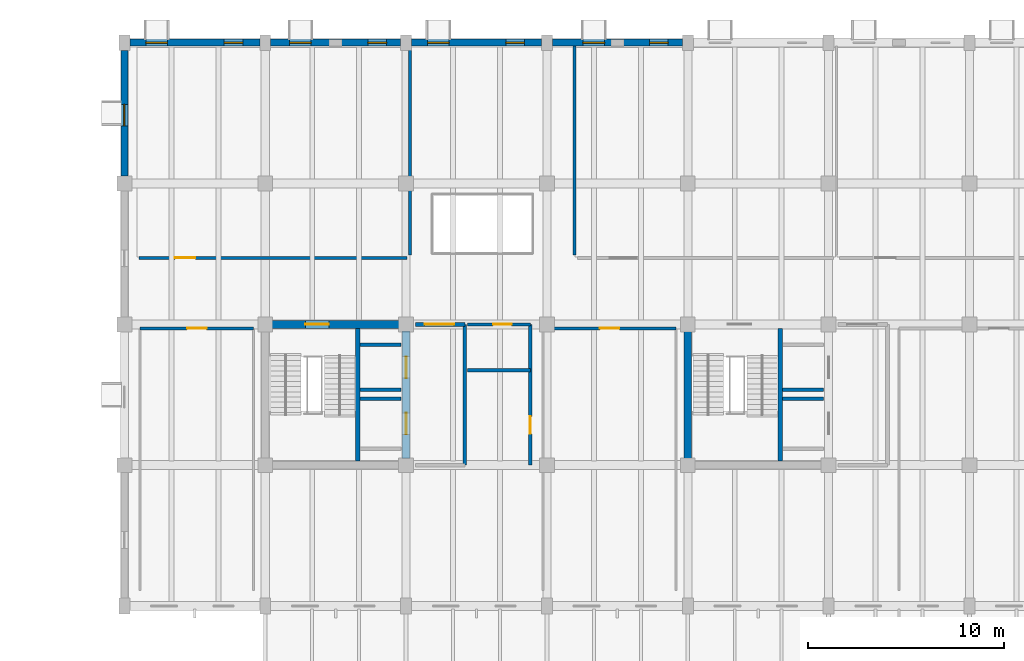
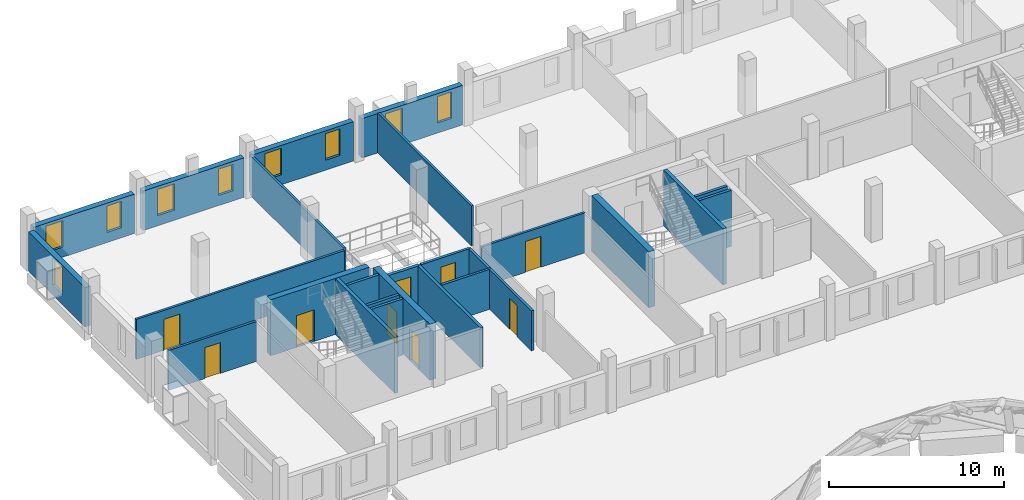
# One storey, part 27 of 32: 25 walls, 9 doors, 9 windows, 18 openings.
"""IFC4 building model written with IfcOpenShell, lengths in metres."""

from ifc_helpers import new_model, si_unit, direction, frame, frame_2d, origin, place, context, subcontext, project, spatial, rectangle, extrude, material, layer, layer_set, type_object, element, fill, save


model = new_model("IFC4")

# Units and contexts
model_context = context("Model", 3, precision=1e-05, world=origin(), true_north=direction((0.0, 1.0)))
body_context = subcontext(model_context, "Body", "Model", "MODEL_VIEW")
ifc_project = project(units=[si_unit("LENGTHUNIT", "METRE"), si_unit("AREAUNIT", "SQUARE_METRE"), si_unit("VOLUMEUNIT", "CUBIC_METRE"), si_unit("PLANEANGLEUNIT", "RADIAN"), si_unit("MASSUNIT", "GRAM", prefix="KILO")], contexts=[model_context])

# Site, building, storey
site_placement = place(None, origin())
site = spatial("IfcSite", under=ifc_project, at=site_placement, CompositionType="ELEMENT")
building_placement = place(site_placement, origin())
building = spatial("IfcBuilding", under=site, at=building_placement, Name="Qiaolan Assembly House", CompositionType="ELEMENT")
storey_placement = place(building_placement, frame((0.0, 0.0, 18.60009765625)))
storey = spatial("IfcBuildingStorey", under=building, at=storey_placement, Name="L04", CompositionType="ELEMENT", Elevation=18.60009765625)

# Wall, openings, doors
ifc_material_1 = material(Name="Concrete C45/55", Category="concrete")
ifc_layer_1 = layer(ifc_material_1, 0.39990234375)
ifc_layer_set_1 = layer_set([ifc_layer_1], Name="Concrete C45/55")
wall_type_1 = type_object("IfcWallType", Name="WAL-CORE-400", PredefinedType="SHEAR", material=ifc_layer_set_1)
wall_1_placement = place(storey_placement, frame((50.39990234375, 93.949951171875, 0.0), z_axis=(0.0, 0.0, 1.0), x_axis=(0.0, 1.0, 0.0)))
wall_1 = element("IfcWall", 1, at=wall_1_placement, inside=storey, type_object=wall_type_1, Name="CW-400 shear core wall CORE-A E L04", PredefinedType="SHEAR", context=body_context, shape_type="SweptSolid", body=[
    extrude(rectangle(XDim=6.5, YDim=0.39990234375, at=frame_2d((3.25, 0.0))), origin(), (0.0, 0.0, 1.0), 3.89990234375),
])
opening_1_placement = place(wall_1_placement, frame((1.22509765625, 0.0, 0.0)))
opening_1 = element("IfcOpeningElement", 2, at=opening_1_placement, cuts=wall_1, Name="Opening LD-006", PredefinedType="OPENING", context=body_context, shape_type="SweptSolid", body=[
    extrude(rectangle(XDim=1.10009765625, YDim=2.199951171875, at=frame_2d((0.550048828125, 1.10009765625))), frame((0.0, 0.2099609375, 0.0), z_axis=(0.0, -1.0, 0.0), x_axis=(1.0, 0.0, 0.0)), (0.0, 0.0, 1.0), 0.419921875),
])
opening_2_placement = place(wall_1_placement, frame((4.10009765625, 0.0, 0.0)))
opening_2 = element("IfcOpeningElement", 3, at=opening_2_placement, cuts=wall_1, Name="Opening LD-015", PredefinedType="OPENING", context=body_context, shape_type="SweptSolid", body=[
    extrude(rectangle(XDim=1.10009765625, YDim=2.199951171875, at=frame_2d((0.550048828125, 1.10009765625))), frame((0.0, 0.2099609375, 0.0), z_axis=(0.0, -1.0, 0.0), x_axis=(1.0, 0.0, 0.0)), (0.0, 0.0, 1.0), 0.419921875),
])
ifc_material_2 = material(Name="Anodised bronze aluminium", Category="aluminium")
door_type_1 = type_object("IfcDoorType", Name="DOR-LIFT-LD1100", OperationType="SLIDING_TO_LEFT", PredefinedType="DOOR", material=ifc_material_2)
door_1_placement = place(opening_1_placement, origin())
door_1 = element("IfcDoor", 4, at=door_1_placement, inside=storey, type_object=door_type_1, Name="Lift landing door LD-006 (LF-01 L04)", OperationType="SLIDING_TO_LEFT", OverallHeight=2.199951171875, OverallWidth=1.10009765625, PredefinedType="DOOR", context=body_context, shape_type="SweptSolid", body=[
    extrude(rectangle(XDim=1.10009765625, YDim=2.199951171875, at=frame_2d((0.550048828125, 1.10009765625))), frame((0.0, 0.02490234375, 0.0), z_axis=(0.0, -1.0, 0.0), x_axis=(1.0, 0.0, 0.0)), (0.0, 0.0, 1.0), 0.050048828125),
])
fill(opening_1, door_1)
door_2_placement = place(opening_2_placement, origin())
door_2 = element("IfcDoor", 5, at=door_2_placement, inside=storey, type_object=door_type_1, Name="Lift landing door LD-015 (LF-02 L04)", OperationType="SLIDING_TO_LEFT", OverallHeight=2.199951171875, OverallWidth=1.10009765625, PredefinedType="DOOR", context=body_context, shape_type="SweptSolid", body=[
    extrude(rectangle(XDim=1.10009765625, YDim=2.199951171875, at=frame_2d((0.550048828125, 1.10009765625))), frame((0.0, 0.02490234375, 0.0), z_axis=(0.0, -1.0, 0.0), x_axis=(1.0, 0.0, 0.0)), (0.0, 0.0, 1.0), 0.050048828125),
])
fill(opening_2, door_2)

# Wall, opening, door
wall_2_placement = place(storey_placement, frame((50.050048828125, 100.800048828125, 0.0), z_axis=(0.0, 0.0, 1.0), x_axis=(-1.0, 0.0, 0.0)))
wall_2 = element("IfcWall", 6, at=wall_2_placement, inside=storey, type_object=wall_type_1, Name="CW-400 shear core wall CORE-A N L04", PredefinedType="SHEAR", context=body_context, shape_type="SweptSolid", body=[
    extrude(rectangle(XDim=6.5, YDim=0.39990234375, at=frame_2d((3.25, 0.0))), origin(), (0.0, 0.0, 1.0), 3.89990234375),
])
opening_3_placement = place(wall_2_placement, frame((3.60009765625, 0.0, 0.0)))
opening_3 = element("IfcOpeningElement", 7, at=opening_3_placement, cuts=wall_2, Name="Opening FD-019", PredefinedType="OPENING", context=body_context, shape_type="SweptSolid", body=[
    extrude(rectangle(XDim=1.199951171875, YDim=2.199951171875, at=frame_2d((0.60009765625, 1.10009765625))), frame((0.0, 0.2099609375, 0.0), z_axis=(0.0, -1.0, 0.0), x_axis=(1.0, 0.0, 0.0)), (0.0, 0.0, 1.0), 0.419921875),
])
ifc_material_3 = material(Name="Steel Q355B", Category="steel")
door_type_2 = type_object("IfcDoorType", Name="DOR-FIRE-FD90-1200", OperationType="NOTDEFINED", PredefinedType="DOOR", material=ifc_material_3)
door_3_placement = place(opening_3_placement, frame((1.199951171875, 0.0, 0.0), z_axis=(0.0, 0.0, 1.0), x_axis=(-1.0, 0.0, 0.0)))
door_3 = element("IfcDoor", 8, at=door_3_placement, inside=storey, type_object=door_type_2, Name="Stairwell fire door FD-019 (CORE-A L04)", OperationType="SINGLE_SWING_LEFT", OverallHeight=2.199951171875, OverallWidth=1.199951171875, PredefinedType="DOOR", context=body_context, shape_type="SweptSolid", body=[
    extrude(rectangle(XDim=1.199951171875, YDim=2.199951171875, at=frame_2d((0.60009765625, 1.10009765625))), frame((0.0, 0.02490234375, 0.0), z_axis=(0.0, -1.0, 0.0), x_axis=(1.0, 0.0, 0.0)), (0.0, 0.0, 1.0), 0.050048828125),
])
fill(opening_3, door_3)

# Wall
wall_3_placement = place(storey_placement, frame((64.800048828125, 100.449951171875, 0.0), z_axis=(0.0, 0.0, 1.0), x_axis=(0.0, -1.0, 0.0)))
element("IfcWall", 9, at=wall_3_placement, inside=storey, type_object=wall_type_1, Name="CW-400 shear core wall CORE-B W L04", PredefinedType="SHEAR", context=body_context, shape_type="SweptSolid", body=[
    extrude(rectangle(XDim=6.5, YDim=0.39990234375, at=frame_2d((3.25, 0.0))), origin(), (0.0, 0.0, 1.0), 3.89990234375),
])

# Wall, openings, windows
ifc_material_4 = material(Name="Honed pale limestone", Category="masonry")
ifc_layer_2 = layer(ifc_material_4, 0.360107421875)
ifc_layer_set_2 = layer_set([ifc_layer_2], Name="Honed pale limestone")
wall_type_2 = type_object("IfcWallType", Name="WAL-EXT-LIMESTONE-360", PredefinedType="SOLIDWALL", material=ifc_layer_set_2)
wall_4_placement = place(storey_placement, frame((42.922119140625, 115.199951171875, 0.0), z_axis=(0.0, 0.0, 1.0), x_axis=(-1.0, 0.0, 0.0)))
wall_4 = element("IfcWall", 10, at=wall_4_placement, inside=storey, type_object=wall_type_2, Name="EW-360 NW North street wall L04 bay 1", PredefinedType="SOLIDWALL", context=body_context, shape_type="SweptSolid", body=[
    extrude(rectangle(XDim=6.64404296875, YDim=0.360107421875, at=frame_2d((3.322021484375, 0.0))), origin(), (0.0, 0.0, 1.0), 2.739990234375),
])
opening_4_placement = place(wall_4_placement, frame((0.8720703125, 0.0, 0.699951171875)))
opening_4 = element("IfcOpeningElement", 11, at=opening_4_placement, cuts=wall_4, Name="Opening WN-112", PredefinedType="OPENING", context=body_context, shape_type="SweptSolid", body=[
    extrude(rectangle(XDim=0.949951171875, YDim=1.840087890625, at=frame_2d((0.47509765625, 0.919921875))), frame((0.0, 0.18994140625, 0.0), z_axis=(0.0, -1.0, 0.0), x_axis=(1.0, 0.0, 0.0)), (0.0, 0.0, 1.0), 0.380126953125),
])
opening_5_placement = place(wall_4_placement, frame((4.721923828125, 0.0, 0.699951171875)))
opening_5 = element("IfcOpeningElement", 12, at=opening_5_placement, cuts=wall_4, Name="Opening WN-113", PredefinedType="OPENING", context=body_context, shape_type="SweptSolid", body=[
    extrude(rectangle(XDim=1.10009765625, YDim=1.840087890625, at=frame_2d((0.550048828125, 0.919921875))), frame((0.0, 0.18994140625, 0.0), z_axis=(0.0, -1.0, 0.0), x_axis=(1.0, 0.0, 0.0)), (0.0, 0.0, 1.0), 0.380126953125),
])
ifc_material_5 = material(Name="Low-E double insulating glass", Category="glass")
window_type_1 = type_object("IfcWindowType", Name="WIN-BOX-1100x2350", PartitioningType="SINGLE_PANEL", PredefinedType="WINDOW", material=ifc_material_5)
window_1_placement = place(opening_5_placement, origin())
window_1 = element("IfcWindow", 13, at=window_1_placement, inside=storey, type_object=window_type_1, Name="WN-T11 window WN-113", OverallHeight=1.840087890625, OverallWidth=1.10009765625, PartitioningType="SINGLE_PANEL", PredefinedType="WINDOW", context=body_context, shape_type="SweptSolid", body=[
    extrude(rectangle(XDim=1.10009765625, YDim=1.840087890625, at=frame_2d((0.550048828125, 0.919921875))), frame((0.0, 0.030029296875, 0.0), z_axis=(0.0, -1.0, 0.0), x_axis=(1.0, 0.0, 0.0)), (0.0, 0.0, 1.0), 0.06005859375),
])
fill(opening_5, window_1)
window_type_2 = type_object("IfcWindowType", Name="WIN-PUNCH-950x2400", PartitioningType="SINGLE_PANEL", PredefinedType="WINDOW", material=ifc_material_5)
window_2_placement = place(opening_4_placement, origin())
window_2 = element("IfcWindow", 14, at=window_2_placement, inside=storey, type_object=window_type_2, Name="WN-T06 window WN-112", OverallHeight=1.840087890625, OverallWidth=0.949951171875, PartitioningType="SINGLE_PANEL", PredefinedType="WINDOW", context=body_context, shape_type="SweptSolid", body=[
    extrude(rectangle(XDim=0.949951171875, YDim=1.840087890625, at=frame_2d((0.47509765625, 0.919921875))), frame((0.0, 0.030029296875, 0.0), z_axis=(0.0, -1.0, 0.0), x_axis=(1.0, 0.0, 0.0)), (0.0, 0.0, 1.0), 0.06005859375),
])
fill(opening_4, window_2)

wall_5_placement = place(storey_placement, frame((50.1220703125, 115.199951171875, 0.0), z_axis=(0.0, 0.0, 1.0), x_axis=(-1.0, 0.0, 0.0)))
wall_5 = element("IfcWall", 15, at=wall_5_placement, inside=storey, type_object=wall_type_2, Name="EW-360 NW North street wall L04 bay 2", PredefinedType="SOLIDWALL", context=body_context, shape_type="SweptSolid", body=[
    extrude(rectangle(XDim=6.64404296875, YDim=0.360107421875, at=frame_2d((3.322021484375, 0.0))), origin(), (0.0, 0.0, 1.0), 2.739990234375),
])
opening_6_placement = place(wall_5_placement, frame((0.721923828125, 0.0, 0.699951171875)))
opening_6 = element("IfcOpeningElement", 16, at=opening_6_placement, cuts=wall_5, Name="Opening WN-114", PredefinedType="OPENING", context=body_context, shape_type="SweptSolid", body=[
    extrude(rectangle(XDim=0.949951171875, YDim=1.840087890625, at=frame_2d((0.47509765625, 0.919921875))), frame((0.0, 0.18994140625, 0.0), z_axis=(0.0, -1.0, 0.0), x_axis=(1.0, 0.0, 0.0)), (0.0, 0.0, 1.0), 0.380126953125),
])
opening_7_placement = place(wall_5_placement, frame((4.572021484375, 0.0, 0.699951171875)))
opening_7 = element("IfcOpeningElement", 17, at=opening_7_placement, cuts=wall_5, Name="Opening WN-115", PredefinedType="OPENING", context=body_context, shape_type="SweptSolid", body=[
    extrude(rectangle(XDim=1.10009765625, YDim=1.840087890625, at=frame_2d((0.550048828125, 0.919921875))), frame((0.0, 0.18994140625, 0.0), z_axis=(0.0, -1.0, 0.0), x_axis=(1.0, 0.0, 0.0)), (0.0, 0.0, 1.0), 0.380126953125),
])
window_3_placement = place(opening_7_placement, origin())
window_3 = element("IfcWindow", 18, at=window_3_placement, inside=storey, type_object=window_type_1, Name="WN-T11 window WN-115", OverallHeight=1.840087890625, OverallWidth=1.10009765625, PartitioningType="SINGLE_PANEL", PredefinedType="WINDOW", context=body_context, shape_type="SweptSolid", body=[
    extrude(rectangle(XDim=1.10009765625, YDim=1.840087890625, at=frame_2d((0.550048828125, 0.919921875))), frame((0.0, 0.030029296875, 0.0), z_axis=(0.0, -1.0, 0.0), x_axis=(1.0, 0.0, 0.0)), (0.0, 0.0, 1.0), 0.06005859375),
])
fill(opening_7, window_3)
window_4_placement = place(opening_6_placement, origin())
window_4 = element("IfcWindow", 19, at=window_4_placement, inside=storey, type_object=window_type_2, Name="WN-T06 window WN-114", OverallHeight=1.840087890625, OverallWidth=0.949951171875, PartitioningType="SINGLE_PANEL", PredefinedType="WINDOW", context=body_context, shape_type="SweptSolid", body=[
    extrude(rectangle(XDim=0.949951171875, YDim=1.840087890625, at=frame_2d((0.47509765625, 0.919921875))), frame((0.0, 0.030029296875, 0.0), z_axis=(0.0, -1.0, 0.0), x_axis=(1.0, 0.0, 0.0)), (0.0, 0.0, 1.0), 0.06005859375),
])
fill(opening_6, window_4)

wall_6_placement = place(storey_placement, frame((57.322021484375, 115.199951171875, 0.0), z_axis=(0.0, 0.0, 1.0), x_axis=(-1.0, 0.0, 0.0)))
wall_6 = element("IfcWall", 20, at=wall_6_placement, inside=storey, type_object=wall_type_2, Name="EW-360 NW North street wall L04 bay 3", PredefinedType="SOLIDWALL", context=body_context, shape_type="SweptSolid", body=[
    extrude(rectangle(XDim=6.64404296875, YDim=0.360107421875, at=frame_2d((3.322021484375, 0.0))), origin(), (0.0, 0.0, 1.0), 2.739990234375),
])
opening_8_placement = place(wall_6_placement, frame((0.8720703125, 0.0, 0.699951171875)))
opening_8 = element("IfcOpeningElement", 21, at=opening_8_placement, cuts=wall_6, Name="Opening WN-116", PredefinedType="OPENING", context=body_context, shape_type="SweptSolid", body=[
    extrude(rectangle(XDim=0.949951171875, YDim=1.840087890625, at=frame_2d((0.47509765625, 0.919921875))), frame((0.0, 0.18994140625, 0.0), z_axis=(0.0, -1.0, 0.0), x_axis=(1.0, 0.0, 0.0)), (0.0, 0.0, 1.0), 0.380126953125),
])
opening_9_placement = place(wall_6_placement, frame((4.721923828125, 0.0, 0.699951171875)))
opening_9 = element("IfcOpeningElement", 22, at=opening_9_placement, cuts=wall_6, Name="Opening WN-117", PredefinedType="OPENING", context=body_context, shape_type="SweptSolid", body=[
    extrude(rectangle(XDim=1.10009765625, YDim=1.840087890625, at=frame_2d((0.550048828125, 0.919921875))), frame((0.0, 0.18994140625, 0.0), z_axis=(0.0, -1.0, 0.0), x_axis=(1.0, 0.0, 0.0)), (0.0, 0.0, 1.0), 0.380126953125),
])
window_5_placement = place(opening_9_placement, origin())
window_5 = element("IfcWindow", 23, at=window_5_placement, inside=storey, type_object=window_type_1, Name="WN-T11 window WN-117", OverallHeight=1.840087890625, OverallWidth=1.10009765625, PartitioningType="SINGLE_PANEL", PredefinedType="WINDOW", context=body_context, shape_type="SweptSolid", body=[
    extrude(rectangle(XDim=1.10009765625, YDim=1.840087890625, at=frame_2d((0.550048828125, 0.919921875))), frame((0.0, 0.030029296875, 0.0), z_axis=(0.0, -1.0, 0.0), x_axis=(1.0, 0.0, 0.0)), (0.0, 0.0, 1.0), 0.06005859375),
])
fill(opening_9, window_5)
window_6_placement = place(opening_8_placement, origin())
window_6 = element("IfcWindow", 24, at=window_6_placement, inside=storey, type_object=window_type_2, Name="WN-T06 window WN-116", OverallHeight=1.840087890625, OverallWidth=0.949951171875, PartitioningType="SINGLE_PANEL", PredefinedType="WINDOW", context=body_context, shape_type="SweptSolid", body=[
    extrude(rectangle(XDim=0.949951171875, YDim=1.840087890625, at=frame_2d((0.47509765625, 0.919921875))), frame((0.0, 0.030029296875, 0.0), z_axis=(0.0, -1.0, 0.0), x_axis=(1.0, 0.0, 0.0)), (0.0, 0.0, 1.0), 0.06005859375),
])
fill(opening_8, window_6)

wall_7_placement = place(storey_placement, frame((64.52197265625, 115.199951171875, 0.0), z_axis=(0.0, 0.0, 1.0), x_axis=(-1.0, 0.0, 0.0)))
wall_7 = element("IfcWall", 25, at=wall_7_placement, inside=storey, type_object=wall_type_2, Name="EW-360 NW North street wall L04 bay 4", PredefinedType="SOLIDWALL", context=body_context, shape_type="SweptSolid", body=[
    extrude(rectangle(XDim=6.64404296875, YDim=0.360107421875, at=frame_2d((3.322021484375, 0.0))), origin(), (0.0, 0.0, 1.0), 2.739990234375),
])
opening_10_placement = place(wall_7_placement, frame((0.721923828125, 0.0, 0.699951171875)))
opening_10 = element("IfcOpeningElement", 26, at=opening_10_placement, cuts=wall_7, Name="Opening WN-118", PredefinedType="OPENING", context=body_context, shape_type="SweptSolid", body=[
    extrude(rectangle(XDim=0.949951171875, YDim=1.840087890625, at=frame_2d((0.47509765625, 0.919921875))), frame((0.0, 0.18994140625, 0.0), z_axis=(0.0, -1.0, 0.0), x_axis=(1.0, 0.0, 0.0)), (0.0, 0.0, 1.0), 0.380126953125),
])
opening_11_placement = place(wall_7_placement, frame((3.9794921875, 0.0, 0.699951171875)))
opening_11 = element("IfcOpeningElement", 27, at=opening_11_placement, cuts=wall_7, Name="Opening WN-119", PredefinedType="OPENING", context=body_context, shape_type="SweptSolid", body=[
    extrude(rectangle(XDim=1.10009765625, YDim=1.840087890625, at=frame_2d((0.550048828125, 0.919921875))), frame((0.0, 0.18994140625, 0.0), z_axis=(0.0, -1.0, 0.0), x_axis=(1.0, 0.0, 0.0)), (0.0, 0.0, 1.0), 0.380126953125),
])
window_7_placement = place(opening_11_placement, origin())
window_7 = element("IfcWindow", 28, at=window_7_placement, inside=storey, type_object=window_type_1, Name="WN-T11 window WN-119", OverallHeight=1.840087890625, OverallWidth=1.10009765625, PartitioningType="SINGLE_PANEL", PredefinedType="WINDOW", context=body_context, shape_type="SweptSolid", body=[
    extrude(rectangle(XDim=1.10009765625, YDim=1.840087890625, at=frame_2d((0.550048828125, 0.919921875))), frame((0.0, 0.030029296875, 0.0), z_axis=(0.0, -1.0, 0.0), x_axis=(1.0, 0.0, 0.0)), (0.0, 0.0, 1.0), 0.06005859375),
])
fill(opening_11, window_7)
window_8_placement = place(opening_10_placement, origin())
window_8 = element("IfcWindow", 29, at=window_8_placement, inside=storey, type_object=window_type_2, Name="WN-T06 window WN-118", OverallHeight=1.840087890625, OverallWidth=0.949951171875, PartitioningType="SINGLE_PANEL", PredefinedType="WINDOW", context=body_context, shape_type="SweptSolid", body=[
    extrude(rectangle(XDim=0.949951171875, YDim=1.840087890625, at=frame_2d((0.47509765625, 0.919921875))), frame((0.0, 0.030029296875, 0.0), z_axis=(0.0, -1.0, 0.0), x_axis=(1.0, 0.0, 0.0)), (0.0, 0.0, 1.0), 0.06005859375),
])
fill(opening_10, window_8)

# Wall, opening, window
wall_8_placement = place(storey_placement, frame((36.0, 108.3779296875, 0.0), z_axis=(0.0, 0.0, 1.0), x_axis=(0.0, 1.0, 0.0)))
wall_8 = element("IfcWall", 30, at=wall_8_placement, inside=storey, type_object=wall_type_2, Name="NW West avenue wall L04-4", PredefinedType="SOLIDWALL", context=body_context, shape_type="SweptSolid", body=[
    extrude(rectangle(XDim=6.421630859375, YDim=0.360107421875, at=frame_2d((3.2109375, 0.0))), origin(), (0.0, 0.0, 1.0), 2.739990234375),
])
opening_12_placement = place(wall_8_placement, frame((2.572021484375, 0.0, 0.699951171875)))
opening_12 = element("IfcOpeningElement", 31, at=opening_12_placement, cuts=wall_8, Name="Opening WN-154", PredefinedType="OPENING", context=body_context, shape_type="SweptSolid", body=[
    extrude(rectangle(XDim=1.10009765625, YDim=1.889892578125, at=frame_2d((0.550048828125, 0.94482421875))), frame((0.0, 0.18994140625, 0.0), z_axis=(0.0, -1.0, 0.0), x_axis=(1.0, 0.0, 0.0)), (0.0, 0.0, 1.0), 0.380126953125),
])
window_9_placement = place(opening_12_placement, origin())
window_9 = element("IfcWindow", 32, at=window_9_placement, inside=storey, type_object=window_type_1, Name="NW West window WN-154", OverallHeight=1.889892578125, OverallWidth=1.10009765625, PartitioningType="SINGLE_PANEL", PredefinedType="WINDOW", context=body_context, shape_type="SweptSolid", body=[
    extrude(rectangle(XDim=1.10009765625, YDim=1.889892578125, at=frame_2d((0.550048828125, 0.94482421875))), frame((0.0, 0.030029296875, 0.0), z_axis=(0.0, -1.0, 0.0), x_axis=(1.0, 0.0, 0.0)), (0.0, 0.0, 1.0), 0.06005859375),
])
fill(opening_12, window_9)

# Wall
ifc_material_6 = material(Name="Concrete C35/45", Category="concrete")
ifc_layer_3 = layer(ifc_material_6, 0.199951171875)
ifc_layer_set_3 = layer_set([ifc_layer_3], Name="Concrete C35/45")
wall_type_3 = type_object("IfcWallType", Name="WAL-LOBBY-200", PredefinedType="PARTITIONING", material=ifc_layer_set_3)
wall_9_placement = place(storey_placement, frame((53.39990234375, 93.60009765625, 0.0), z_axis=(0.0, 0.0, 1.0), x_axis=(0.0, 1.0, 0.0)))
element("IfcWall", 33, at=wall_9_placement, inside=storey, type_object=wall_type_3, Name="Firefighting lift lobby east wall CORE-A L04", PredefinedType="PARTITIONING", context=body_context, shape_type="SweptSolid", body=[
    extrude(rectangle(XDim=7.199951171875, YDim=0.199951171875, at=frame_2d((3.60009765625, 0.0))), origin(), (0.0, 0.0, 1.0), 2.77978515625),
])

# Wall, opening, door
wall_10_placement = place(storey_placement, frame((53.39990234375, 100.800048828125, 0.0), z_axis=(0.0, 0.0, 1.0), x_axis=(-1.0, 0.0, 0.0)))
wall_10 = element("IfcWall", 34, at=wall_10_placement, inside=storey, type_object=wall_type_3, Name="Firefighting lift lobby north wall CORE-A L04", PredefinedType="PARTITIONING", context=body_context, shape_type="SweptSolid", body=[
    extrude(rectangle(XDim=2.52001953125, YDim=0.199951171875, at=frame_2d((1.260009765625, 0.0))), origin(), (0.0, 0.0, 1.0), 2.77978515625),
])
opening_13_placement = place(wall_10_placement, frame((0.550048828125, 0.0, 0.0)))
opening_13 = element("IfcOpeningElement", 35, at=opening_13_placement, cuts=wall_10, Name="Opening FD-020", PredefinedType="OPENING", context=body_context, shape_type="SweptSolid", body=[
    extrude(rectangle(XDim=1.5, YDim=2.199951171875, at=frame_2d((0.75, 1.10009765625))), frame((0.0, 0.10986328125, 0.0), z_axis=(0.0, -1.0, 0.0), x_axis=(1.0, 0.0, 0.0)), (0.0, 0.0, 1.0), 0.219970703125),
])
ifc_material_7 = material(Name="Acoustic oak panelling")
door_type_3 = type_object("IfcDoorType", Name="DOR-LOBBY-FD60-1500", OperationType="DOUBLE_DOOR_SINGLE_SWING", PredefinedType="DOOR", material=ifc_material_7)
door_4_placement = place(opening_13_placement, frame((1.5, 0.0, 0.0), z_axis=(0.0, 0.0, 1.0), x_axis=(-1.0, 0.0, 0.0)))
door_4 = element("IfcDoor", 36, at=door_4_placement, inside=storey, type_object=door_type_3, Name="Lobby corridor fire door FD-020", OperationType="DOUBLE_DOOR_SINGLE_SWING", OverallHeight=2.199951171875, OverallWidth=1.5, PredefinedType="DOOR", context=body_context, shape_type="SweptSolid", body=[
    extrude(rectangle(XDim=1.5, YDim=2.199951171875, at=frame_2d((0.75, 1.10009765625))), frame((0.0, 0.02490234375, 0.0), z_axis=(0.0, -1.0, 0.0), x_axis=(1.0, 0.0, 0.0)), (0.0, 0.0, 1.0), 0.050048828125),
])
fill(opening_13, door_4)

ifc_material_8 = material(Name="Gypsum plasterboard partition")
ifc_layer_4 = layer(ifc_material_8, 0.14990234375)
ifc_layer_set_4 = layer_set([ifc_layer_4], Name="Gypsum plasterboard partition")
wall_type_4 = type_object("IfcWallType", Name="WAL-PART-150", PredefinedType="PARTITIONING", material=ifc_layer_set_4)
wall_11_placement = place(storey_placement, frame((36.75, 104.199951171875, 0.0), z_axis=(0.0, 0.0, 1.0), x_axis=(1.0, 0.0, 0.0)))
wall_11 = element("IfcWall", 37, at=wall_11_placement, inside=storey, type_object=wall_type_4, Name="Municipal Finance & Audit Directorate corridor wall", PredefinedType="PARTITIONING", context=body_context, shape_type="SweptSolid", body=[
    extrude(rectangle(XDim=13.699951171875, YDim=0.14990234375, at=frame_2d((6.85009765625, 0.0))), origin(), (0.0, 0.0, 1.0), 2.77978515625),
])
opening_14_placement = place(wall_11_placement, frame((1.824951171875, 0.0, 0.0)))
opening_14 = element("IfcOpeningElement", 38, at=opening_14_placement, cuts=wall_11, Name="Opening ND-207", PredefinedType="OPENING", context=body_context, shape_type="SweptSolid", body=[
    extrude(rectangle(XDim=1.050048828125, YDim=2.14990234375, at=frame_2d((0.52490234375, 1.074951171875))), frame((0.0, 0.0849609375, 0.0), z_axis=(0.0, -1.0, 0.0), x_axis=(1.0, 0.0, 0.0)), (0.0, 0.0, 1.0), 0.169921875),
])
door_type_4 = type_object("IfcDoorType", Name="DOR-OFF-LRG-1050", OperationType="NOTDEFINED", PredefinedType="DOOR", material=ifc_material_7)
door_5_placement = place(opening_14_placement, origin())
door_5 = element("IfcDoor", 39, at=door_5_placement, inside=storey, type_object=door_type_4, Name="Municipal Finance & Audit Directorate door ND-207", OperationType="SINGLE_SWING_RIGHT", OverallHeight=2.14990234375, OverallWidth=1.050048828125, PredefinedType="DOOR", context=body_context, shape_type="SweptSolid", body=[
    extrude(rectangle(XDim=1.050048828125, YDim=2.14990234375, at=frame_2d((0.52490234375, 1.074951171875))), frame((0.0, 0.02490234375, 0.0), z_axis=(0.0, -1.0, 0.0), x_axis=(1.0, 0.0, 0.0)), (0.0, 0.0, 1.0), 0.050048828125),
])
fill(opening_14, door_5)

# Walls
for number, where, z_axis, x_axis, name in (
    (40, (59.0, 104.35009765625, 0.0), (0.0, 0.0, 1.0), (0.0, 1.0, 0.0), "Budget Hearing & Procurement Boardroom west wall"),
    (41, (50.60009765625, 104.35009765625, 0.0), (0.0, 0.0, 1.0), (0.0, 1.0, 0.0), "Lightwell east wall"),
):
    element("IfcWall", number, at=place(storey_placement, frame(where, z_axis=z_axis, x_axis=x_axis)), inside=storey, type_object=wall_type_4, Name=name, PredefinedType="PARTITIONING", context=body_context, shape_type="SweptSolid", body=[
        extrude(rectangle(XDim=10.669921875, YDim=0.14990234375, at=frame_2d((5.3349609375, 0.0))), origin(), (0.0, 0.0, 1.0), 2.77978515625),
    ])

# Wall, opening, door
wall_12_placement = place(storey_placement, frame((42.60009765625, 100.60009765625, 0.0), z_axis=(0.0, 0.0, 1.0), x_axis=(-1.0, 0.0, 0.0)))
wall_12 = element("IfcWall", 42, at=wall_12_placement, inside=storey, type_object=wall_type_4, Name="Internal Audit Working Suite corridor wall", PredefinedType="PARTITIONING", context=body_context, shape_type="SweptSolid", body=[
    extrude(rectangle(XDim=5.800048828125, YDim=0.14990234375, at=frame_2d((2.89990234375, 0.0))), origin(), (0.0, 0.0, 1.0), 2.77978515625),
])
opening_15_placement = place(wall_12_placement, frame((2.39990234375, 0.0, 0.0)))
opening_15 = element("IfcOpeningElement", 43, at=opening_15_placement, cuts=wall_12, Name="Opening SD-212", PredefinedType="OPENING", context=body_context, shape_type="SweptSolid", body=[
    extrude(rectangle(XDim=1.0, YDim=2.14990234375, at=frame_2d((0.5, 1.074951171875))), frame((0.0, 0.0849609375, 0.0), z_axis=(0.0, -1.0, 0.0), x_axis=(1.0, 0.0, 0.0)), (0.0, 0.0, 1.0), 0.169921875),
])
door_type_5 = type_object("IfcDoorType", Name="DOR-OFF-SGL-1000", OperationType="NOTDEFINED", PredefinedType="DOOR", material=ifc_material_7)
door_6_placement = place(opening_15_placement, origin())
door_6 = element("IfcDoor", 44, at=door_6_placement, inside=storey, type_object=door_type_5, Name="Internal Audit Working Suite door SD-212", OperationType="SINGLE_SWING_RIGHT", OverallHeight=2.14990234375, OverallWidth=1.0, PredefinedType="DOOR", context=body_context, shape_type="SweptSolid", body=[
    extrude(rectangle(XDim=1.0, YDim=2.14990234375, at=frame_2d((0.5, 1.074951171875))), frame((0.0, 0.02490234375, 0.0), z_axis=(0.0, -1.0, 0.0), x_axis=(1.0, 0.0, 0.0)), (0.0, 0.0, 1.0), 0.050048828125),
])
fill(opening_15, door_6)

wall_13_placement = place(storey_placement, frame((64.199951171875, 100.60009765625, 0.0), z_axis=(0.0, 0.0, 1.0), x_axis=(-1.0, 0.0, 0.0)))
wall_13 = element("IfcWall", 45, at=wall_13_placement, inside=storey, type_object=wall_type_4, Name="Procurement Evaluation Room corridor wall", PredefinedType="PARTITIONING", context=body_context, shape_type="SweptSolid", body=[
    extrude(rectangle(XDim=6.800048828125, YDim=0.14990234375, at=frame_2d((3.39990234375, 0.0))), origin(), (0.0, 0.0, 1.0), 2.77978515625),
])
opening_16_placement = place(wall_13_placement, frame((2.89990234375, 0.0, 0.0)))
opening_16 = element("IfcOpeningElement", 46, at=opening_16_placement, cuts=wall_13, Name="Opening SD-213", PredefinedType="OPENING", context=body_context, shape_type="SweptSolid", body=[
    extrude(rectangle(XDim=1.0, YDim=2.14990234375, at=frame_2d((0.5, 1.074951171875))), frame((0.0, 0.0849609375, 0.0), z_axis=(0.0, -1.0, 0.0), x_axis=(1.0, 0.0, 0.0)), (0.0, 0.0, 1.0), 0.169921875),
])
door_7_placement = place(opening_16_placement, origin())
door_7 = element("IfcDoor", 47, at=door_7_placement, inside=storey, type_object=door_type_5, Name="Procurement Evaluation Room door SD-213", OperationType="SINGLE_SWING_LEFT", OverallHeight=2.14990234375, OverallWidth=1.0, PredefinedType="DOOR", context=body_context, shape_type="SweptSolid", body=[
    extrude(rectangle(XDim=1.0, YDim=2.14990234375, at=frame_2d((0.5, 1.074951171875))), frame((0.0, 0.02490234375, 0.0), z_axis=(0.0, -1.0, 0.0), x_axis=(1.0, 0.0, 0.0)), (0.0, 0.0, 1.0), 0.050048828125),
])
fill(opening_16, door_7)

# Walls
ifc_layer_5 = layer(ifc_material_6, 0.18505859375)
ifc_layer_set_5 = layer_set([ifc_layer_5], Name="Concrete C35/45")
wall_type_5 = type_object("IfcWallType", Name="WAL-SHAFT-200", PredefinedType="PARTITIONING", material=ifc_layer_set_5)
for number, where, z_axis, x_axis, name in (
    (48, (48.050048828125, 97.0, 0.0), (0.0, 0.0, 1.0), (1.0, 0.0, 0.0), "SW-200 lift shaft wall LF-01 L04 DIVN"),
    (49, (48.050048828125, 97.449951171875, 0.0), (0.0, 0.0, 1.0), (1.0, 0.0, 0.0), "SW-200 lift shaft wall LF-02 L04 DIVS"),
    (50, (48.050048828125, 99.75, 0.0), (0.0, 0.0, 1.0), (1.0, 0.0, 0.0), "SW-200 lift shaft wall LF-02 L04 DIVN"),
):
    element("IfcWall", number, at=place(storey_placement, frame(where, z_axis=z_axis, x_axis=x_axis)), inside=storey, type_object=wall_type_5, Name=name, PredefinedType="PARTITIONING", context=body_context, shape_type="SweptSolid", body=[
        extrude(rectangle(XDim=2.099853515625, YDim=0.18505859375, at=frame_2d((1.0498046875, 0.0))), origin(), (0.0, 0.0, 1.0), 3.89990234375),
    ])
for number, where, z_axis, x_axis, name in (
    (51, (69.64990234375, 97.0, 0.0), (0.0, 0.0, 1.0), (1.0, 0.0, 0.0), "SW-200 lift shaft wall LF-03 L04 DIVN"),
    (52, (69.64990234375, 97.449951171875, 0.0), (0.0, 0.0, 1.0), (1.0, 0.0, 0.0), "SW-200 lift shaft wall LF-04 L04 DIVS"),
):
    element("IfcWall", number, at=place(storey_placement, frame(where, z_axis=z_axis, x_axis=x_axis)), inside=storey, type_object=wall_type_5, Name=name, PredefinedType="PARTITIONING", context=body_context, shape_type="SweptSolid", body=[
        extrude(rectangle(XDim=2.10009765625, YDim=0.18505859375, at=frame_2d((1.050048828125, 0.0))), origin(), (0.0, 0.0, 1.0), 3.89990234375),
    ])
ifc_material_9 = material(Name="Concrete C40/50", Category="concrete")
ifc_layer_6 = layer(ifc_material_9, 0.22509765625)
ifc_layer_set_6 = layer_set([ifc_layer_6], Name="Concrete C40/50")
wall_type_6 = type_object("IfcWallType", Name="WAL-STAIR-DIV-225", PredefinedType="SHEAR", material=ifc_layer_set_6)
for number, where, z_axis, x_axis, name in (
    (53, (47.919921875, 93.820068359375, 0.0), (0.0, 0.0, 1.0), (0.0, 1.0, 0.0), "SDW-225 stairwell structural spine wall CORE-A L04"),
    (54, (69.52001953125, 93.820068359375, 0.0), (0.0, 0.0, 1.0), (0.0, 1.0, 0.0), "SDW-225 stairwell structural spine wall CORE-B L04"),
):
    element("IfcWall", number, at=place(storey_placement, frame(where, z_axis=z_axis, x_axis=x_axis)), inside=storey, type_object=wall_type_6, Name=name, PredefinedType="SHEAR", context=body_context, shape_type="SweptSolid", body=[
        extrude(rectangle(XDim=6.760009765625, YDim=0.22509765625, at=frame_2d((3.3798828125, 0.0))), origin(), (0.0, 0.0, 1.0), 3.89990234375),
    ])

# Wall, opening, door
ifc_material_10 = material(Name="Concrete C30/37", Category="concrete")
ifc_layer_7 = layer(ifc_material_10, 0.1650390625)
ifc_layer_set_7 = layer_set([ifc_layer_7], Name="Concrete C30/37")
wall_type_7 = type_object("IfcWallType", Name="WAL-WET-150", PredefinedType="PARTITIONING", material=ifc_layer_set_7)
wall_14_placement = place(storey_placement, frame((56.75, 93.60009765625, 0.0), z_axis=(0.0, 0.0, 1.0), x_axis=(0.0, 1.0, 0.0)))
wall_14 = element("IfcWall", 55, at=wall_14_placement, inside=storey, type_object=wall_type_7, Name="Public WC east wall CORE-A L04", PredefinedType="PARTITIONING", context=body_context, shape_type="SweptSolid", body=[
    extrude(rectangle(XDim=7.199951171875, YDim=0.1650390625, at=frame_2d((3.60009765625, 0.0))), origin(), (0.0, 0.0, 1.0), 2.77978515625),
])
opening_17_placement = place(wall_14_placement, frame((1.60009765625, 0.0, 0.0)))
opening_17 = element("IfcOpeningElement", 56, at=opening_17_placement, cuts=wall_14, Name="Opening WD-021", PredefinedType="OPENING", context=body_context, shape_type="SweptSolid", body=[
    extrude(rectangle(XDim=0.89990234375, YDim=2.14990234375, at=frame_2d((0.449951171875, 1.074951171875))), frame((0.0, 0.092529296875, 0.0), z_axis=(0.0, -1.0, 0.0), x_axis=(1.0, 0.0, 0.0)), (0.0, 0.0, 1.0), 0.18505859375),
])
door_type_6 = type_object("IfcDoorType", Name="DOR-WC-900", OperationType="NOTDEFINED", PredefinedType="DOOR", material=ifc_material_7)
door_8_placement = place(opening_17_placement, origin())
door_8 = element("IfcDoor", 57, at=door_8_placement, inside=storey, type_object=door_type_6, Name="Public Restroom door WD-021", OperationType="SINGLE_SWING_RIGHT", OverallHeight=2.14990234375, OverallWidth=0.89990234375, PredefinedType="DOOR", context=body_context, shape_type="SweptSolid", body=[
    extrude(rectangle(XDim=0.89990234375, YDim=2.14990234375, at=frame_2d((0.449951171875, 1.074951171875))), frame((0.0, 0.02490234375, 0.0), z_axis=(0.0, -1.0, 0.0), x_axis=(1.0, 0.0, 0.0)), (0.0, 0.0, 1.0), 0.050048828125),
])
fill(opening_17, door_8)

wall_15_placement = place(storey_placement, frame((56.75, 100.800048828125, 0.0), z_axis=(0.0, 0.0, 1.0), x_axis=(-1.0, 0.0, 0.0)))
wall_15 = element("IfcWall", 58, at=wall_15_placement, inside=storey, type_object=wall_type_7, Name="Accessible WC corridor wall CORE-A L04", PredefinedType="PARTITIONING", context=body_context, shape_type="SweptSolid", body=[
    extrude(rectangle(XDim=3.199951171875, YDim=0.1650390625, at=frame_2d((1.60009765625, 0.0))), origin(), (0.0, 0.0, 1.0), 2.77978515625),
])
opening_18_placement = place(wall_15_placement, frame((0.949951171875, 0.0, 0.0)))
opening_18 = element("IfcOpeningElement", 59, at=opening_18_placement, cuts=wall_15, Name="Opening AD-022", PredefinedType="OPENING", context=body_context, shape_type="SweptSolid", body=[
    extrude(rectangle(XDim=0.949951171875, YDim=2.14990234375, at=frame_2d((0.47509765625, 1.074951171875))), frame((0.0, 0.092529296875, 0.0), z_axis=(0.0, -1.0, 0.0), x_axis=(1.0, 0.0, 0.0)), (0.0, 0.0, 1.0), 0.18505859375),
])
door_type_7 = type_object("IfcDoorType", Name="DOR-ACC-WC-950", OperationType="NOTDEFINED", PredefinedType="DOOR", material=ifc_material_7)
door_9_placement = place(opening_18_placement, origin())
door_9 = element("IfcDoor", 60, at=door_9_placement, inside=storey, type_object=door_type_7, Name="Accessible Restroom door AD-022", OperationType="SINGLE_SWING_LEFT", OverallHeight=2.14990234375, OverallWidth=0.949951171875, PredefinedType="DOOR", context=body_context, shape_type="SweptSolid", body=[
    extrude(rectangle(XDim=0.949951171875, YDim=2.14990234375, at=frame_2d((0.47509765625, 1.074951171875))), frame((0.0, 0.02490234375, 0.0), z_axis=(0.0, -1.0, 0.0), x_axis=(1.0, 0.0, 0.0)), (0.0, 0.0, 1.0), 0.050048828125),
])
fill(opening_18, door_9)

# Wall
wall_16_placement = place(storey_placement, frame((53.550048828125, 98.449951171875, 0.0), z_axis=(0.0, 0.0, 1.0), x_axis=(1.0, 0.0, 0.0)))
element("IfcWall", 61, at=wall_16_placement, inside=storey, type_object=wall_type_7, Name="WC divider wall CORE-A L04", PredefinedType="PARTITIONING", context=body_context, shape_type="SweptSolid", body=[
    extrude(rectangle(XDim=3.199951171875, YDim=0.1650390625, at=frame_2d((1.60009765625, 0.0))), origin(), (0.0, 0.0, 1.0), 2.77978515625),
])

save(model, "model.ifc")
